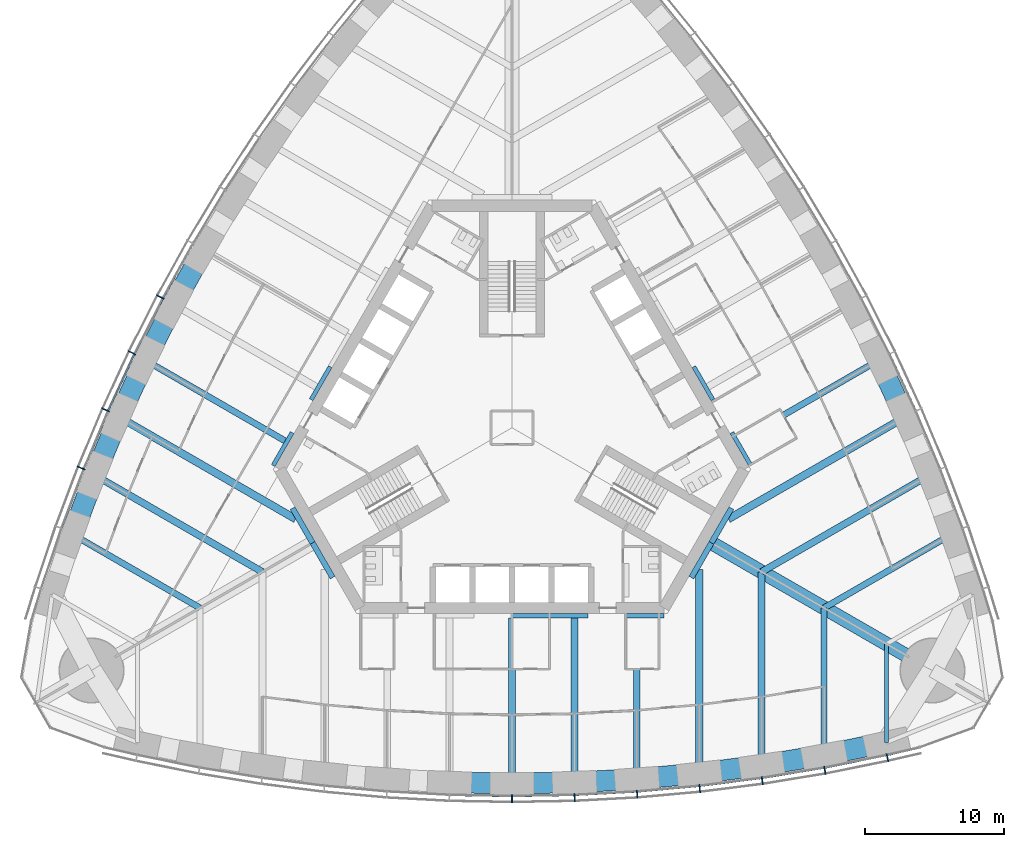
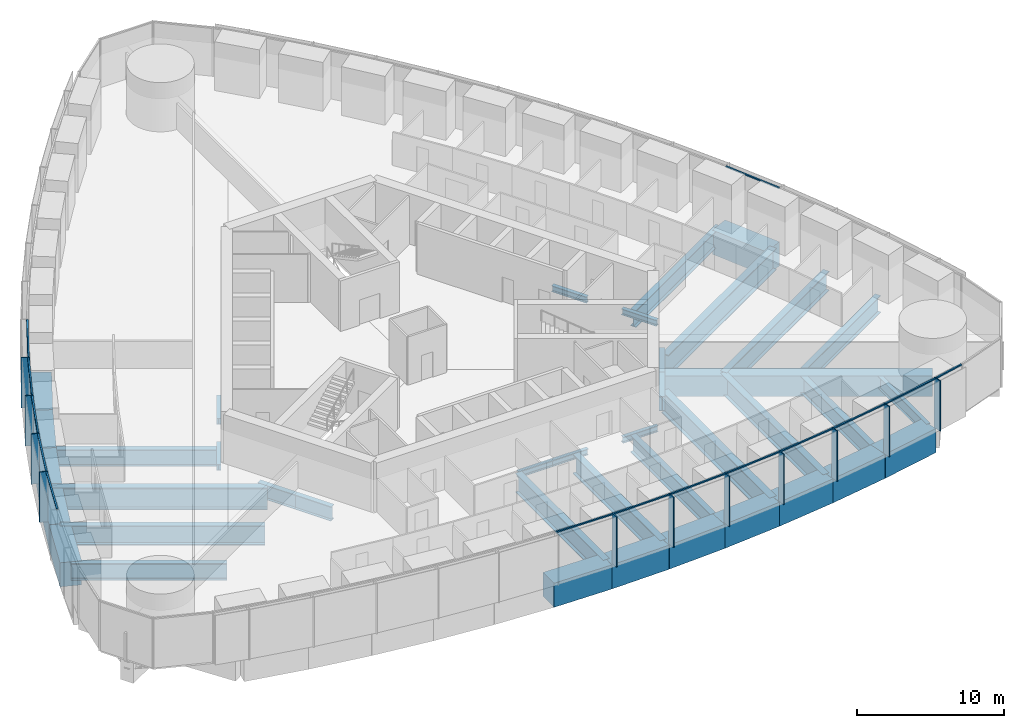
# One storey, part 3 of 20: 40 beams, 25 members, 3 elements without a shape of their own.
"""IFC4 building model written with IfcOpenShell, lengths in metres."""

from ifc_helpers import new_model, si_unit, direction, frame, origin, origin_2d, place, context, subcontext, project, spatial, rectangle, i_section, extrude, material, material_profile, profile_set, type_object, element, aggregate, save


model = new_model("IFC4")

# Units and contexts
model_context = context("Model", 3, precision=1e-05, world=origin(), true_north=direction((0.0, 1.0)))
body_context = subcontext(model_context, "Body", "Model", "MODEL_VIEW")
ifc_project = project(units=[si_unit("LENGTHUNIT", "METRE"), si_unit("AREAUNIT", "SQUARE_METRE"), si_unit("VOLUMEUNIT", "CUBIC_METRE"), si_unit("PLANEANGLEUNIT", "RADIAN"), si_unit("MASSUNIT", "GRAM", prefix="KILO")], contexts=[model_context])

# Site, building, storey
site_placement = place(None, origin())
site = spatial("IfcSite", under=ifc_project, at=site_placement, CompositionType="ELEMENT")
building_placement = place(site_placement, origin())
building = spatial("IfcBuilding", under=site, at=building_placement, Name="Trefoil Bronze Tower", CompositionType="ELEMENT")
storey_placement = place(building_placement, frame((0.0, 0.0, 103.10009765625)))
storey = spatial("IfcBuildingStorey", under=building, at=storey_placement, Name="L23", CompositionType="ELEMENT", Elevation=103.10009765625)

# Curtain wall, members
ifc_material_1 = material(Name="Tinted solar-control glass", Category="glass")
curtain_wall_type = type_object("IfcCurtainWallType", Name="Bronze office curtain wall", PredefinedType="USERDEFINED", material=ifc_material_1)
curtain_wall_1_placement = place(storey_placement, origin())
curtain_wall_1 = element("IfcCurtainWall", 1, at=curtain_wall_1_placement, inside=storey, type_object=curtain_wall_type, Name="CW-A L23 F1", ObjectType="CURTAIN WALL", PredefinedType="USERDEFINED")
ifc_material_2 = material(Name="Bronze-finish aluminium", Category="aluminium")
ifc_material_profile_1 = material_profile(ifc_material_2, rectangle(XDim=0.60009765625, YDim=0.080078125, at=origin_2d()), Name="CW-A mullion")
ifc_profile_set_1 = profile_set([ifc_material_profile_1], Name="Bronze-finish aluminium")
member_type_1 = type_object("IfcMemberType", Name="Bronze office curtain wall mullion", PredefinedType="MULLION", material=ifc_profile_set_1)
member_1_placement = place(storey_placement, frame((0.0, -26.749755859375, 0.0), z_axis=(0.0, 0.0, 1.0), x_axis=(0.0, 1.0, 0.0)))
member_1 = element("IfcMember", 2, at=member_1_placement, type_object=member_type_1, Name="CW-A L23 F1 mullion 8", PredefinedType="MULLION", context=body_context, shape_type="SweptSolid", body=[
    extrude(rectangle(XDim=0.60009765625, YDim=0.080078125, at=origin_2d()), origin(), (0.0, 0.0, 1.0), 4.179931640625),
])
member_2_placement = place(storey_placement, frame((4.5107421875, -26.66845703125, 0.0), z_axis=(0.0, 0.0, 1.0), x_axis=(-0.036047792107, 0.999350067136, 0.0)))
member_2 = element("IfcMember", 3, at=member_2_placement, type_object=member_type_1, Name="CW-A L23 F1 mullion 9", PredefinedType="MULLION", context=body_context, shape_type="SweptSolid", body=[
    extrude(rectangle(XDim=0.60009765625, YDim=0.080078125, at=origin_2d()), origin(), (0.0, 0.0, 1.0), 4.179931640625),
])
member_3_placement = place(storey_placement, frame((9.021728515625, -26.424072265625, 0.0), z_axis=(0.0, 0.0, 1.0), x_axis=(-0.072095676284, 0.997397720802, 0.0)))
member_3 = element("IfcMember", 4, at=member_3_placement, type_object=member_type_1, Name="CW-A L23 F1 mullion 10", PredefinedType="MULLION", context=body_context, shape_type="SweptSolid", body=[
    extrude(rectangle(XDim=0.60009765625, YDim=0.080078125, at=origin_2d()), origin(), (0.0, 0.0, 1.0), 4.179931640625),
])
member_4_placement = place(storey_placement, frame((13.532470703125, -26.01611328125, 0.0), z_axis=(0.0, 0.0, 1.0), x_axis=(-0.108143747013, 0.994135267447, 0.0)))
member_4 = element("IfcMember", 5, at=member_4_placement, type_object=member_type_1, Name="CW-A L23 F1 mullion 11", PredefinedType="MULLION", context=body_context, shape_type="SweptSolid", body=[
    extrude(rectangle(XDim=0.60009765625, YDim=0.080078125, at=origin_2d()), origin(), (0.0, 0.0, 1.0), 4.179931640625),
])
member_5_placement = place(storey_placement, frame((18.043212890625, -25.4423828125, 0.0), z_axis=(0.0, 0.0, 1.0), x_axis=(-0.144192103798, 0.989549714366, 0.0)))
member_5 = element("IfcMember", 6, at=member_5_placement, type_object=member_type_1, Name="CW-A L23 F1 mullion 12", PredefinedType="MULLION", context=body_context, shape_type="SweptSolid", body=[
    extrude(rectangle(XDim=0.60009765625, YDim=0.080078125, at=origin_2d()), origin(), (0.0, 0.0, 1.0), 4.179931640625),
])
member_6_placement = place(storey_placement, frame((22.553955078125, -24.700927734375, 0.0), z_axis=(0.0, 0.0, 1.0), x_axis=(-0.180240853954, 0.98362250613, 0.0)))
member_6 = element("IfcMember", 7, at=member_6_placement, type_object=member_type_1, Name="CW-A L23 F1 mullion 13", PredefinedType="MULLION", context=body_context, shape_type="SweptSolid", body=[
    extrude(rectangle(XDim=0.60009765625, YDim=0.080078125, at=origin_2d()), origin(), (0.0, 0.0, 1.0), 4.179931640625),
])
member_7_placement = place(storey_placement, frame((27.0634765625, -23.7890625, 0.0), z_axis=(0.0, 0.0, 1.0), x_axis=(-0.21197042503, 0.977276081214, 0.0)))
member_7 = element("IfcMember", 8, at=member_7_placement, type_object=member_type_1, Name="CW-A L23 F1 mullion 14", PredefinedType="MULLION", context=body_context, shape_type="SweptSolid", body=[
    extrude(rectangle(XDim=0.60009765625, YDim=0.080078125, at=origin_2d()), origin(), (0.0, 0.0, 1.0), 4.179931640625),
])

curtain_wall_2_placement = place(storey_placement, origin())
curtain_wall_2 = element("IfcCurtainWall", 9, at=curtain_wall_2_placement, inside=storey, type_object=curtain_wall_type, Name="CW-A L23 F3", ObjectType="CURTAIN WALL", PredefinedType="USERDEFINED")
member_8_placement = place(storey_placement, frame((-25.350830078125, 9.427734375, 0.0), z_axis=(0.0, 0.0, 1.0), x_axis=(0.883486441467, -0.468456729853, 0.0)))
member_8 = element("IfcMember", 10, at=member_8_placement, type_object=member_type_1, Name="CW-A L23 F3 mullion 9", PredefinedType="MULLION", context=body_context, shape_type="SweptSolid", body=[
    extrude(rectangle(XDim=0.60009765625, YDim=0.080078125, at=origin_2d()), origin(), (0.0, 0.0, 1.0), 4.179931640625),
])
member_9_placement = place(storey_placement, frame((-27.394775390625, 5.399169921875, 0.0), z_axis=(0.0, 0.0, 1.0), x_axis=(0.899819602033, -0.436262173236, 0.0)))
member_9 = element("IfcMember", 11, at=member_9_placement, type_object=member_type_1, Name="CW-A L23 F3 mullion 10", PredefinedType="MULLION", context=body_context, shape_type="SweptSolid", body=[
    extrude(rectangle(XDim=0.60009765625, YDim=0.080078125, at=origin_2d()), origin(), (0.0, 0.0, 1.0), 4.179931640625),
])
member_10_placement = place(storey_placement, frame((-29.296875, 1.28857421875, 0.0), z_axis=(0.0, 0.0, 1.0), x_axis=(0.915018269914, -0.40341240155, 0.0)))
member_10 = element("IfcMember", 12, at=member_10_placement, type_object=member_type_1, Name="CW-A L23 F3 mullion 11", PredefinedType="MULLION", context=body_context, shape_type="SweptSolid", body=[
    extrude(rectangle(XDim=0.60009765625, YDim=0.080078125, at=origin_2d()), origin(), (0.0, 0.0, 1.0), 4.179931640625),
])
member_11_placement = place(storey_placement, frame((-31.055419921875, -2.90478515625, 0.0), z_axis=(0.0, 0.0, 1.0), x_axis=(0.929071242848, -0.369900832269, 0.0)))
member_11 = element("IfcMember", 13, at=member_11_placement, type_object=member_type_1, Name="CW-A L23 F3 mullion 12", PredefinedType="MULLION", context=body_context, shape_type="SweptSolid", body=[
    extrude(rectangle(XDim=0.60009765625, YDim=0.080078125, at=origin_2d()), origin(), (0.0, 0.0, 1.0), 4.179931640625),
])

# Member
ifc_material_3 = material(Name="Bronze-finish aluminium", Category="aluminium")
ifc_material_profile_2 = material_profile(ifc_material_3, rectangle(XDim=0.1201171875, YDim=0.10009765625, at=origin_2d()), Name="CW-A transom")
ifc_profile_set_2 = profile_set([ifc_material_profile_2], Name="Bronze-finish aluminium")
member_type_2 = type_object("IfcMemberType", Name="Bronze office curtain wall transom", PredefinedType="USERDEFINED", material=ifc_profile_set_2)
member_12_placement = place(storey_placement, frame((-4.4619140625, -26.46923828125, 4.1298828125), z_axis=(0.999837930028, -0.018003157426, 0.0), x_axis=(0.018003157426, 0.999837930028, 0.0)))
member_12 = element("IfcMember", 14, at=member_12_placement, type_object=member_type_2, Name="CW-A L23 F1 transom 7", ObjectType="TRANSOM", PredefinedType="USERDEFINED", context=body_context, shape_type="SweptSolid", body=[
    extrude(rectangle(XDim=0.1201171875, YDim=0.10009765625, at=origin_2d()), origin(), (0.0, 0.0, 1.0), 4.4208984375),
])

member_13_placement = place(storey_placement, frame((0.041748046875, -26.548828125, 4.1298828125), z_axis=(0.999837930028, 0.018003157426, 0.0), x_axis=(-0.018003157426, 0.999837930028, 0.0)))
member_13 = element("IfcMember", 15, at=member_13_placement, type_object=member_type_2, Name="CW-A L23 F1 transom 8", ObjectType="TRANSOM", PredefinedType="USERDEFINED", context=body_context, shape_type="SweptSolid", body=[
    extrude(rectangle(XDim=0.1201171875, YDim=0.10009765625, at=origin_2d()), origin(), (0.0, 0.0, 1.0), 4.4208984375),
])

member_14_placement = place(storey_placement, frame((4.54541015625, -26.46630859375, 4.1298828125), z_axis=(0.998538253569, 0.054049571306, 0.0), x_axis=(-0.054049571306, 0.998538253569, 0.0)))
member_14 = element("IfcMember", 16, at=member_14_placement, type_object=member_type_2, Name="CW-A L23 F1 transom 9", ObjectType="TRANSOM", PredefinedType="USERDEFINED", context=body_context, shape_type="SweptSolid", body=[
    extrude(rectangle(XDim=0.1201171875, YDim=0.10009765625, at=origin_2d()), origin(), (0.0, 0.0, 1.0), 4.4267578125),
])

member_15_placement = place(storey_placement, frame((9.048828125, -26.220947265625, 4.1298828125), z_axis=(0.995932787062, 0.090099298863, 0.0), x_axis=(-0.090099298863, 0.995932787062, 0.0)))
member_15 = element("IfcMember", 17, at=member_15_placement, type_object=member_type_2, Name="CW-A L23 F1 transom 10", ObjectType="TRANSOM", PredefinedType="USERDEFINED", context=body_context, shape_type="SweptSolid", body=[
    extrude(rectangle(XDim=0.1201171875, YDim=0.10009765625, at=origin_2d()), origin(), (0.0, 0.0, 1.0), 4.4384765625),
])

member_16_placement = place(storey_placement, frame((13.55224609375, -25.81201171875, 4.1298828125), z_axis=(0.992008387848, 0.12617193998, 0.0), x_axis=(-0.12617193998, 0.992008387848, 0.0)))
member_16 = element("IfcMember", 18, at=member_16_placement, type_object=member_type_2, Name="CW-A L23 F1 transom 11", ObjectType="TRANSOM", PredefinedType="USERDEFINED", context=body_context, shape_type="SweptSolid", body=[
    extrude(rectangle(XDim=0.1201171875, YDim=0.10009765625, at=origin_2d()), origin(), (0.0, 0.0, 1.0), 4.456298828125),
])

member_17_placement = place(storey_placement, frame((18.0556640625, -25.23779296875, 4.1298828125), z_axis=(0.986755265284, 0.162216048636, 0.0), x_axis=(-0.162216048636, 0.986755265284, 0.0)))
member_17 = element("IfcMember", 19, at=member_17_placement, type_object=member_type_2, Name="CW-A L23 F1 transom 12", ObjectType="TRANSOM", PredefinedType="USERDEFINED", context=body_context, shape_type="SweptSolid", body=[
    extrude(rectangle(XDim=0.1201171875, YDim=0.10009765625, at=origin_2d()), origin(), (0.0, 0.0, 1.0), 4.48046875),
])

member_18_placement = place(storey_placement, frame((22.55908203125, -24.49609375, 4.1298828125), z_axis=(0.980153749225, 0.198238815273, 0.0), x_axis=(-0.198238815273, 0.980153749225, 0.0)))
member_18 = element("IfcMember", 20, at=member_18_placement, type_object=member_type_2, Name="CW-A L23 F1 transom 13", ObjectType="TRANSOM", PredefinedType="USERDEFINED", context=body_context, shape_type="SweptSolid", body=[
    extrude(rectangle(XDim=0.1201171875, YDim=0.10009765625, at=origin_2d()), origin(), (0.0, 0.0, 1.0), 4.51123046875),
])

member_19_placement = place(storey_placement, frame((27.0615234375, -23.584228515625, 4.1298828125), z_axis=(0.974206243495, 0.225659467196, 0.0), x_axis=(-0.225659467196, 0.974206243495, 0.0)))
member_19 = element("IfcMember", 21, at=member_19_placement, type_object=member_type_2, Name="CW-A L23 F1 transom 14", ObjectType="TRANSOM", PredefinedType="USERDEFINED", context=body_context, shape_type="SweptSolid", body=[
    extrude(rectangle(XDim=0.1201171875, YDim=0.10009765625, at=origin_2d()), origin(), (0.0, 0.0, 1.0), 2.340087890625),
])

aggregate(curtain_wall_1, [member_1, member_2, member_3, member_4, member_5, member_6, member_7, member_12, member_13, member_14, member_15, member_16, member_17, member_18, member_19])

# Curtain wall, member
curtain_wall_3_placement = place(storey_placement, origin())
curtain_wall_3 = element("IfcCurtainWall", 22, at=curtain_wall_3_placement, inside=storey, type_object=curtain_wall_type, Name="CW-A L23 F2", ObjectType="CURTAIN WALL", PredefinedType="USERDEFINED")
member_20_placement = place(storey_placement, frame((29.09619140625, 1.245849609375, 4.1298828125), z_axis=(-0.419923072198, 0.907559702409, 0.0), x_axis=(-0.907559702409, -0.419923072198, 0.0)))
member_20 = element("IfcMember", 23, at=member_20_placement, type_object=member_type_2, Name="CW-A L23 F2 transom 5", ObjectType="TRANSOM", PredefinedType="USERDEFINED", context=body_context, shape_type="SweptSolid", body=[
    extrude(rectangle(XDim=0.1201171875, YDim=0.10009765625, at=origin_2d()), origin(), (0.0, 0.0, 1.0), 4.4384765625),
])
aggregate(curtain_wall_3, [member_20])

# Member
member_21_placement = place(storey_placement, frame((-23.012939453125, 13.23828125, 4.1298828125), z_axis=(-0.484329470343, -0.874885686337, 0.0), x_axis=(0.874885686337, -0.484329470343, 0.0)))
member_21 = element("IfcMember", 24, at=member_21_placement, type_object=member_type_2, Name="CW-A L23 F3 transom 8", ObjectType="TRANSOM", PredefinedType="USERDEFINED", context=body_context, shape_type="SweptSolid", body=[
    extrude(rectangle(XDim=0.1201171875, YDim=0.10009765625, at=origin_2d()), origin(), (0.0, 0.0, 1.0), 4.4208984375),
])

member_22_placement = place(storey_placement, frame((-25.193115234375, 9.296630859375, 4.1298828125), z_axis=(-0.452478489814, -0.891775317138, 0.0), x_axis=(0.891775317138, -0.452478489814, 0.0)))
member_22 = element("IfcMember", 25, at=member_22_placement, type_object=member_type_2, Name="CW-A L23 F3 transom 9", ObjectType="TRANSOM", PredefinedType="USERDEFINED", context=body_context, shape_type="SweptSolid", body=[
    extrude(rectangle(XDim=0.1201171875, YDim=0.10009765625, at=origin_2d()), origin(), (0.0, 0.0, 1.0), 4.426513671875),
])

member_23_placement = place(storey_placement, frame((-27.232421875, 5.27392578125, 4.1298828125), z_axis=(-0.419923072198, -0.907559702409, 0.0), x_axis=(0.907559702409, -0.419923072198, 0.0)))
member_23 = element("IfcMember", 26, at=member_23_placement, type_object=member_type_2, Name="CW-A L23 F3 transom 10", ObjectType="TRANSOM", PredefinedType="USERDEFINED", context=body_context, shape_type="SweptSolid", body=[
    extrude(rectangle(XDim=0.1201171875, YDim=0.10009765625, at=origin_2d()), origin(), (0.0, 0.0, 1.0), 4.4384765625),
])

member_24_placement = place(storey_placement, frame((-29.1298828125, 1.16943359375, 4.1298828125), z_axis=(-0.386773266184, -0.922174842731, 0.0), x_axis=(0.922174842731, -0.386773266184, 0.0)))
member_24 = element("IfcMember", 27, at=member_24_placement, type_object=member_type_2, Name="CW-A L23 F3 transom 11", ObjectType="TRANSOM", PredefinedType="USERDEFINED", context=body_context, shape_type="SweptSolid", body=[
    extrude(rectangle(XDim=0.1201171875, YDim=0.10009765625, at=origin_2d()), origin(), (0.0, 0.0, 1.0), 4.45654296875),
])

member_25_placement = place(storey_placement, frame((-30.88427734375, -3.017822265625, 4.1298828125), z_axis=(-0.352932154759, -0.935648916067, 0.0), x_axis=(0.935648916067, -0.352932154759, 0.0)))
member_25 = element("IfcMember", 28, at=member_25_placement, type_object=member_type_2, Name="CW-A L23 F3 transom 12", ObjectType="TRANSOM", PredefinedType="USERDEFINED", context=body_context, shape_type="SweptSolid", body=[
    extrude(rectangle(XDim=0.1201171875, YDim=0.10009765625, at=origin_2d()), origin(), (0.0, 0.0, 1.0), 4.48046875),
])

aggregate(curtain_wall_2, [member_8, member_9, member_10, member_11, member_21, member_22, member_23, member_24, member_25])

# Beams
ifc_material_4 = material(Name="Steel C355", Category="steel")
ifc_material_profile_3 = material_profile(ifc_material_4, i_section(OverallWidth=0.300048828125, OverallDepth=0.5, WebThickness=0.014404296875, FlangeThickness=0.028076171875, FilletRadius=0.027099609375, at=origin_2d()), Name="HEB 500")
ifc_profile_set_3 = profile_set([ifc_material_profile_3], Name="Steel C355")
beam_type_1 = type_object("IfcBeamType", Name="Core seat beam HEB 500", PredefinedType="BEAM", material=ifc_profile_set_3)
for number, where, z_axis, x_axis, name in (
    (29, (0.0, -13.550048828125, -0.4501953125), (1.0, 0.0, 0.0), (0.0, 1.0, 0.0), "Core seat beam F1/+0 L23"),
    (30, (2.742431640625, -13.550048828125, -0.4501953125), (1.0, 0.0, 0.0), (0.0, 1.0, 0.0), "Core seat beam F1/+1 L23"),
    (31, (8.227294921875, -13.550048828125, -0.4501953125), (1.0, 0.0, 0.0), (0.0, 1.0, 0.0), "Core seat beam F1/+2 L23"),
    (32, (17.219482421875, -2.72509765625, -0.4501953125), (-0.500035825175, 0.866004719122, 0.0), (-0.866004719122, -0.500035825175, 0.0), "Core seat beam F2/-2 L23"),
    (33, (14.47705078125, 2.02490234375, -0.4501953125), (-0.499969057507, 0.866043267704, 0.0), (-0.866043267704, -0.499969057507, 0.0), "Core seat beam F2/-1 L23"),
    (34, (-13.10595703125, 4.39990234375, -0.4501953125), (-0.499969057507, -0.866043267704, 0.0), (0.866043267704, -0.499969057507, 0.0), "Core seat beam F3/+1 L23"),
    (35, (-15.84814453125, -0.35009765625, -0.4501953125), (-0.500035825175, -0.866004719122, 0.0), (0.866004719122, -0.500035825175, 0.0), "Core seat beam F3/+2 L23"),
):
    element("IfcBeam", number, at=place(storey_placement, frame(where, z_axis=z_axis, x_axis=x_axis)), inside=storey, type_object=beam_type_1, Name=name, PredefinedType="BEAM", context=body_context, shape_type="SweptSolid", body=[
        extrude(i_section(OverallWidth=0.300048828125, OverallDepth=0.5, WebThickness=0.014404296875, FlangeThickness=0.028076171875, FilletRadius=0.027099609375, at=origin_2d()), origin(), (0.0, 0.0, 1.0), 2.742431640625),
    ])
ifc_material_5 = material(Name="Steel C355", Category="steel")
ifc_material_profile_4 = material_profile(ifc_material_5, i_section(OverallWidth=0.39990234375, OverallDepth=1.199951171875, WebThickness=0.02001953125, FlangeThickness=0.0400390625, FilletRadius=0.010009765625, at=origin_2d()), Name="WPG 1200")
ifc_profile_set_4 = profile_set([ifc_material_profile_4], Name="Steel C355")
beam_type_2 = type_object("IfcBeamType", Name="Core seat beam WPG 1200", PredefinedType="BEAM", material=ifc_profile_set_4)
for number, where, z_axis, x_axis, name in (
    (36, (-14.3759765625, -8.300048828125, -0.800048828125), (0.499995765644, -0.866027848477, 0.0), (0.866027848477, 0.499995765644, 0.0), "Core seat beam F1/-3 L23"),
    (37, (12.9326171875, -10.800048828125, -0.800048828125), (0.499995765644, 0.866027848477, 0.0), (-0.866027848477, 0.499995765644, 0.0), "Core seat beam F1/+3 L23"),
    (38, (14.3759765625, -8.300048828125, -0.800048828125), (0.499995765644, 0.866027848477, 0.0), (-0.866027848477, 0.499995765644, 0.0), "Core seat beam F2/-3 L23"),
    (39, (-15.8193359375, -5.800048828125, -0.800048828125), (0.499995765644, -0.866027848477, 0.0), (0.866027848477, 0.499995765644, 0.0), "Core seat beam F3/+3 L23"),
):
    element("IfcBeam", number, at=place(storey_placement, frame(where, z_axis=z_axis, x_axis=x_axis)), inside=storey, type_object=beam_type_2, Name=name, PredefinedType="BEAM", context=body_context, shape_type="SweptSolid", body=[
        extrude(i_section(OverallWidth=0.39990234375, OverallDepth=1.199951171875, WebThickness=0.02001953125, FlangeThickness=0.0400390625, FilletRadius=0.010009765625, at=origin_2d()), origin(), (0.0, 0.0, 1.0), 2.88671875),
    ])
ifc_material_6 = material(Name="Concrete B80", Category="concrete")
ifc_material_profile_5 = material_profile(ifc_material_6, rectangle(XDim=1.0, YDim=1.699951171875, at=origin_2d()), Name="RC 1000x1700")
ifc_profile_set_5 = profile_set([ifc_material_profile_5], Name="Concrete B80")
beam_type_3 = type_object("IfcBeamType", Name="Corner girder RC 1000x1700", PredefinedType="BEAM", material=ifc_profile_set_5)
beam_1_placement = place(storey_placement, frame((14.202880859375, -8.199951171875, -1.050048828125), z_axis=(0.866022084834, -0.500005748546, 0.0), x_axis=(0.500005748546, 0.866022084834, 0.0)))
element("IfcBeam", 40, at=beam_1_placement, inside=storey, type_object=beam_type_3, Name="Corner girder K1 L23", PredefinedType="BEAM", context=body_context, shape_type="SweptSolid", body=[
    extrude(rectangle(XDim=1.0, YDim=1.699951171875, at=origin_2d()), origin(), (0.0, 0.0, 1.0), 18.599853515625),
])
ifc_material_7 = material(Name="Steel C355", Category="steel")
ifc_material_profile_6 = material_profile(ifc_material_7, i_section(OverallWidth=0.300048828125, OverallDepth=1.0, WebThickness=0.01904296875, FlangeThickness=0.035888671875, FilletRadius=0.030029296875, at=origin_2d()), Name="HEB 1000")
ifc_profile_set_6 = profile_set([ifc_material_profile_6], Name="Steel C355")
beam_type_4 = type_object("IfcBeamType", Name="Floor beam HEB 1000", PredefinedType="BEAM", material=ifc_profile_set_6)
beam_2_placement = place(storey_placement, frame((27.0, -22.67724609375, -0.7001953125), z_axis=(0.0, 1.0, 0.0), x_axis=(-1.0, 0.0, 0.0)))
element("IfcBeam", 41, at=beam_2_placement, inside=storey, type_object=beam_type_4, Name="Floor beam F1/+6 L23", PredefinedType="BEAM", context=body_context, shape_type="SweptSolid", body=[
    extrude(i_section(OverallWidth=0.300048828125, OverallDepth=1.0, WebThickness=0.01904296875, FlangeThickness=0.035888671875, FilletRadius=0.030029296875, at=origin_2d()), origin(), (0.0, 0.0, 1.0), 7.0888671875),
])
ifc_material_8 = material(Name="Steel C355", Category="steel")
ifc_material_profile_7 = material_profile(ifc_material_8, i_section(OverallWidth=0.449951171875, OverallDepth=1.39990234375, WebThickness=0.02294921875, FlangeThickness=0.044921875, FilletRadius=0.011962890625, at=origin_2d()), Name="WPG 1400")
ifc_profile_set_7 = profile_set([ifc_material_profile_7], Name="Steel C355")
beam_type_5 = type_object("IfcBeamType", Name="Floor beam WPG 1400", PredefinedType="BEAM", material=ifc_profile_set_7)
beam_3_placement = place(storey_placement, frame((9.0, -25.32275390625, -0.900146484375), z_axis=(0.0, 1.0, 0.0), x_axis=(-1.0, 0.0, 0.0)))
element("IfcBeam", 42, at=beam_3_placement, inside=storey, type_object=beam_type_5, Name="Floor beam F1/+2 L23", PredefinedType="BEAM", context=body_context, shape_type="SweptSolid", body=[
    extrude(i_section(OverallWidth=0.449951171875, OverallDepth=1.39990234375, WebThickness=0.02294921875, FlangeThickness=0.044921875, FilletRadius=0.011962890625, at=origin_2d()), origin(), (0.0, 0.0, 1.0), 11.622802734375),
])
beam_4_placement = place(storey_placement, frame((22.5, -23.592529296875, -0.900146484375), z_axis=(0.0, 1.0, 0.0), x_axis=(-1.0, 0.0, 0.0)))
element("IfcBeam", 43, at=beam_4_placement, inside=storey, type_object=beam_type_5, Name="Floor beam F1/+5 L23", PredefinedType="BEAM", context=body_context, shape_type="SweptSolid", body=[
    extrude(i_section(OverallWidth=0.449951171875, OverallDepth=1.39990234375, WebThickness=0.02294921875, FlangeThickness=0.044921875, FilletRadius=0.011962890625, at=origin_2d()), origin(), (0.0, 0.0, 1.0), 10.60205078125),
])
beam_5_placement = place(storey_placement, frame((31.681884765625, -7.689208984375, -0.900146484375), z_axis=(-0.866021079084, -0.500007490527, 0.0), x_axis=(0.500007490527, -0.866021079084, 0.0)))
element("IfcBeam", 44, at=beam_5_placement, inside=storey, type_object=beam_type_5, Name="Floor beam F2/-5 L23", PredefinedType="BEAM", context=body_context, shape_type="SweptSolid", body=[
    extrude(i_section(OverallWidth=0.449951171875, OverallDepth=1.39990234375, WebThickness=0.02294921875, FlangeThickness=0.044921875, FilletRadius=0.011962890625, at=origin_2d()), origin(), (0.0, 0.0, 1.0), 10.602294921875),
])
for number, where, z_axis, x_axis, name in (
    (45, (26.43017578125, 4.8671875, -0.900146484375), (-0.866021531335, -0.500006707218, 0.0), (0.500006707218, -0.866021531335, 0.0), "Floor beam F2/-2 L23"),
    (46, (-26.43017578125, 4.8671875, -0.900146484375), (0.866021531335, -0.500006707218, 0.0), (0.500006707218, 0.866021531335, 0.0), "Floor beam F3/+2 L23"),
):
    element("IfcBeam", number, at=place(storey_placement, frame(where, z_axis=z_axis, x_axis=x_axis)), inside=storey, type_object=beam_type_5, Name=name, PredefinedType="BEAM", context=body_context, shape_type="SweptSolid", body=[
        extrude(i_section(OverallWidth=0.449951171875, OverallDepth=1.39990234375, WebThickness=0.02294921875, FlangeThickness=0.044921875, FilletRadius=0.011962890625, at=origin_2d()), origin(), (0.0, 0.0, 1.0), 11.622802734375),
    ])
beam_6_placement = place(storey_placement, frame((-31.681884765625, -7.689208984375, -0.900146484375), z_axis=(0.866021079084, -0.500007490527, 0.0), x_axis=(0.500007490527, 0.866021079084, 0.0)))
element("IfcBeam", 47, at=beam_6_placement, inside=storey, type_object=beam_type_5, Name="Floor beam F3/+5 L23", PredefinedType="BEAM", context=body_context, shape_type="SweptSolid", body=[
    extrude(i_section(OverallWidth=0.449951171875, OverallDepth=1.39990234375, WebThickness=0.02294921875, FlangeThickness=0.044921875, FilletRadius=0.011962890625, at=origin_2d()), origin(), (0.0, 0.0, 1.0), 10.602294921875),
])
ifc_material_9 = material(Name="Steel C355", Category="steel")
ifc_material_profile_8 = material_profile(ifc_material_9, i_section(OverallWidth=0.5, OverallDepth=1.60009765625, WebThickness=0.02587890625, FlangeThickness=0.050048828125, FilletRadius=0.011962890625, at=origin_2d()), Name="WPG 1600")
ifc_profile_set_8 = profile_set([ifc_material_profile_8], Name="Steel C355")
beam_type_6 = type_object("IfcBeamType", Name="Floor beam WPG 1600", PredefinedType="BEAM", material=ifc_profile_set_8)
beam_7_placement = place(storey_placement, frame((0.0, -25.649658203125, -1.0), z_axis=(0.0, 1.0, 0.0), x_axis=(-1.0, 0.0, 0.0)))
element("IfcBeam", 48, at=beam_7_placement, inside=storey, type_object=beam_type_6, Name="Floor beam F1/+0 L23", PredefinedType="BEAM", context=body_context, shape_type="SweptSolid", body=[
    extrude(i_section(OverallWidth=0.5, OverallDepth=1.60009765625, WebThickness=0.02587890625, FlangeThickness=0.050048828125, FilletRadius=0.011962890625, at=origin_2d()), origin(), (0.0, 0.0, 1.0), 11.94970703125),
])
beam_8_placement = place(storey_placement, frame((4.5, -25.568115234375, -1.0), z_axis=(0.0, 1.0, 0.0), x_axis=(-1.0, 0.0, 0.0)))
element("IfcBeam", 49, at=beam_8_placement, inside=storey, type_object=beam_type_6, Name="Floor beam F1/+1 L23", PredefinedType="BEAM", context=body_context, shape_type="SweptSolid", body=[
    extrude(i_section(OverallWidth=0.5, OverallDepth=1.60009765625, WebThickness=0.02587890625, FlangeThickness=0.050048828125, FilletRadius=0.011962890625, at=origin_2d()), origin(), (0.0, 0.0, 1.0), 11.8681640625),
])
for number, where, z_axis, x_axis, name in (
    (50, (18.0, -24.337158203125, -1.0), (0.0, 1.0, 0.0), (-1.0, 0.0, 0.0), "Floor beam F1/+4 L23"),
    (51, (30.07666015625, -3.419921875, -1.0), (-0.866026983775, -0.499997263366, 0.0), (0.499997263366, -0.866026983775, 0.0), "Floor beam F2/-4 L23"),
    (52, (-30.07666015625, -3.419921875, -1.0), (0.866026983775, -0.499997263366, 0.0), (0.499997263366, 0.866026983775, 0.0), "Floor beam F3/+4 L23"),
):
    element("IfcBeam", number, at=place(storey_placement, frame(where, z_axis=z_axis, x_axis=x_axis)), inside=storey, type_object=beam_type_6, Name=name, PredefinedType="BEAM", context=body_context, shape_type="SweptSolid", body=[
        extrude(i_section(OverallWidth=0.5, OverallDepth=1.60009765625, WebThickness=0.02587890625, FlangeThickness=0.050048828125, FilletRadius=0.011962890625, at=origin_2d()), origin(), (0.0, 0.0, 1.0), 13.94482421875),
    ])
ifc_material_10 = material(Name="Steel C355", Category="steel")
ifc_material_profile_9 = material_profile(ifc_material_10, i_section(OverallWidth=0.550048828125, OverallDepth=1.800048828125, WebThickness=0.029052734375, FlangeThickness=0.054931640625, FilletRadius=0.013916015625, at=origin_2d()), Name="WPG 1800")
ifc_profile_set_9 = profile_set([ifc_material_profile_9], Name="Steel C355")
beam_type_7 = type_object("IfcBeamType", Name="Floor beam WPG 1800", PredefinedType="BEAM", material=ifc_profile_set_9)
for number, where, z_axis, x_axis, name in (
    (53, (13.5, -24.9130859375, -1.10009765625), (0.0, 1.0, 0.0), (-1.0, 0.0, 0.0), "Floor beam F1/+3 L23"),
    (54, (28.325439453125, 0.76513671875, -1.10009765625), (-0.866027342682, -0.499996641717, 0.0), (0.499996641717, -0.866027342682, 0.0), "Floor beam F2/-3 L23"),
    (55, (-28.325439453125, 0.76513671875, -1.10009765625), (0.866027342682, -0.499996641717, 0.0), (0.499996641717, 0.866027342682, 0.0), "Floor beam F3/+3 L23"),
):
    element("IfcBeam", number, at=place(storey_placement, frame(where, z_axis=z_axis, x_axis=x_axis)), inside=storey, type_object=beam_type_7, Name=name, PredefinedType="BEAM", context=body_context, shape_type="SweptSolid", body=[
        extrude(i_section(OverallWidth=0.550048828125, OverallDepth=1.800048828125, WebThickness=0.029052734375, FlangeThickness=0.054931640625, FilletRadius=0.013916015625, at=origin_2d()), origin(), (0.0, 0.0, 1.0), 14.69580078125),
    ])
ifc_material_11 = material(Name="Concrete B80", Category="concrete")
ifc_material_profile_10 = material_profile(ifc_material_11, rectangle(XDim=1.5, YDim=2.0, at=origin_2d()), Name="RC 1500x2000")
ifc_profile_set_10 = profile_set([ifc_material_profile_10], Name="Concrete B80")
beam_type_8 = type_object("IfcBeamType", Name="Spandrel beam RC 1500x2000", PredefinedType="SPANDREL", material=ifc_profile_set_10)
for number, where, z_axis, x_axis, name in (
    (56, (-4.5, -25.568115234375, -1.2001953125), (0.999835861267, -0.01811768542, 0.0), (0.01811768542, 0.999835861267, 0.0), "Spandrel F1.7 L23"),
    (57, (0.0, -25.649658203125, -1.2001953125), (0.999835861267, 0.01811768542, 0.0), (-0.01811768542, 0.999835861267, 0.0), "Spandrel F1.8 L23"),
):
    element("IfcBeam", number, at=place(storey_placement, frame(where, z_axis=z_axis, x_axis=x_axis)), inside=storey, type_object=beam_type_8, Name=name, PredefinedType="SPANDREL", context=body_context, shape_type="SweptSolid", body=[
        extrude(rectangle(XDim=1.5, YDim=2.0, at=origin_2d()), origin(), (0.0, 0.0, 1.0), 4.500732421875),
    ])
beam_9_placement = place(storey_placement, frame((4.5, -25.568115234375, -1.2001953125), z_axis=(0.998516832602, 0.054443870267, 0.0), x_axis=(-0.054443870267, 0.998516832602, 0.0)))
element("IfcBeam", 58, at=beam_9_placement, inside=storey, type_object=beam_type_8, Name="Spandrel F1.9 L23", PredefinedType="SPANDREL", context=body_context, shape_type="SweptSolid", body=[
    extrude(rectangle(XDim=1.5, YDim=2.0, at=origin_2d()), origin(), (0.0, 0.0, 1.0), 4.506591796875),
])
beam_10_placement = place(storey_placement, frame((9.0, -25.32275390625, -1.2001953125), z_axis=(0.995881683815, 0.090662405894, 0.0), x_axis=(-0.090662405894, 0.995881683815, 0.0)))
element("IfcBeam", 59, at=beam_10_placement, inside=storey, type_object=beam_type_8, Name="Spandrel F1.10 L23", PredefinedType="SPANDREL", context=body_context, shape_type="SweptSolid", body=[
    extrude(rectangle(XDim=1.5, YDim=2.0, at=origin_2d()), origin(), (0.0, 0.0, 1.0), 4.5185546875),
])
beam_11_placement = place(storey_placement, frame((13.5, -24.9130859375, -1.2001953125), z_axis=(0.991909314257, 0.126948463126, 0.0), x_axis=(-0.126948463126, 0.991909314257, 0.0)))
element("IfcBeam", 60, at=beam_11_placement, inside=storey, type_object=beam_type_8, Name="Spandrel F1.11 L23", PredefinedType="SPANDREL", context=body_context, shape_type="SweptSolid", body=[
    extrude(rectangle(XDim=1.5, YDim=2.0, at=origin_2d()), origin(), (0.0, 0.0, 1.0), 4.53662109375),
])
beam_12_placement = place(storey_placement, frame((18.0, -24.337158203125, -1.2001953125), z_axis=(0.986584214684, 0.163253138823, 0.0), x_axis=(-0.163253138823, 0.986584214684, 0.0)))
element("IfcBeam", 61, at=beam_12_placement, inside=storey, type_object=beam_type_8, Name="Spandrel F1.12 L23", PredefinedType="SPANDREL", context=body_context, shape_type="SweptSolid", body=[
    extrude(rectangle(XDim=1.5, YDim=2.0, at=origin_2d()), origin(), (0.0, 0.0, 1.0), 4.561279296875),
])
beam_13_placement = place(storey_placement, frame((22.5, -23.592529296875, -1.2001953125), z_axis=(0.979935430296, 0.199315208777, 0.0), x_axis=(-0.199315208777, 0.979935430296, 0.0)))
element("IfcBeam", 62, at=beam_13_placement, inside=storey, type_object=beam_type_8, Name="Spandrel F1.13 L23", PredefinedType="SPANDREL", context=body_context, shape_type="SweptSolid", body=[
    extrude(rectangle(XDim=1.5, YDim=2.0, at=origin_2d()), origin(), (0.0, 0.0, 1.0), 4.592041015625),
])
beam_14_placement = place(storey_placement, frame((28.325439453125, 0.76513671875, -1.2001953125), z_axis=(-0.419424747755, 0.907790108434, 0.0), x_axis=(-0.907790108434, -0.419424747755, 0.0)))
element("IfcBeam", 63, at=beam_14_placement, inside=storey, type_object=beam_type_8, Name="Spandrel F2.5 L23", PredefinedType="SPANDREL", context=body_context, shape_type="SweptSolid", body=[
    extrude(rectangle(XDim=1.5, YDim=2.0, at=origin_2d()), origin(), (0.0, 0.0, 1.0), 4.518798828125),
])
beam_15_placement = place(storey_placement, frame((-22.21337890625, 12.824951171875, -1.2001953125), z_axis=(-0.484186866546, -0.874964615436, 0.0), x_axis=(0.874964615436, -0.484186866546, 0.0)))
element("IfcBeam", 64, at=beam_15_placement, inside=storey, type_object=beam_type_8, Name="Spandrel F3.8 L23", PredefinedType="SPANDREL", context=body_context, shape_type="SweptSolid", body=[
    extrude(rectangle(XDim=1.5, YDim=2.0, at=origin_2d()), origin(), (0.0, 0.0, 1.0), 4.500732421875),
])
beam_16_placement = place(storey_placement, frame((-24.392578125, 8.886962890625, -1.2001953125), z_axis=(-0.452125717735, -0.891954222683, 0.0), x_axis=(0.891954222683, -0.452125717735, 0.0)))
element("IfcBeam", 65, at=beam_16_placement, inside=storey, type_object=beam_type_8, Name="Spandrel F3.9 L23", PredefinedType="SPANDREL", context=body_context, shape_type="SweptSolid", body=[
    extrude(rectangle(XDim=1.5, YDim=2.0, at=origin_2d()), origin(), (0.0, 0.0, 1.0), 4.506591796875),
])
beam_17_placement = place(storey_placement, frame((-26.43017578125, 4.8671875, -1.2001953125), z_axis=(-0.419424747755, -0.907790108434, 0.0), x_axis=(0.907790108434, -0.419424747755, 0.0)))
element("IfcBeam", 66, at=beam_17_placement, inside=storey, type_object=beam_type_8, Name="Spandrel F3.10 L23", PredefinedType="SPANDREL", context=body_context, shape_type="SweptSolid", body=[
    extrude(rectangle(XDim=1.5, YDim=2.0, at=origin_2d()), origin(), (0.0, 0.0, 1.0), 4.518798828125),
])
beam_18_placement = place(storey_placement, frame((-28.325439453125, 0.76513671875, -1.2001953125), z_axis=(-0.386013490858, -0.922493135408, 0.0), x_axis=(0.922493135408, -0.386013490858, 0.0)))
element("IfcBeam", 67, at=beam_18_placement, inside=storey, type_object=beam_type_8, Name="Spandrel F3.11 L23", PredefinedType="SPANDREL", context=body_context, shape_type="SweptSolid", body=[
    extrude(rectangle(XDim=1.5, YDim=2.0, at=origin_2d()), origin(), (0.0, 0.0, 1.0), 4.53662109375),
])
beam_19_placement = place(storey_placement, frame((-30.07666015625, -3.419921875, -1.2001953125), z_axis=(-0.351938675523, -0.936023059904, 0.0), x_axis=(0.936023059904, -0.351938675523, 0.0)))
element("IfcBeam", 68, at=beam_19_placement, inside=storey, type_object=beam_type_8, Name="Spandrel F3.12 L23", PredefinedType="SPANDREL", context=body_context, shape_type="SweptSolid", body=[
    extrude(rectangle(XDim=1.5, YDim=2.0, at=origin_2d()), origin(), (0.0, 0.0, 1.0), 4.56103515625),
])

save(model, "model.ifc")
